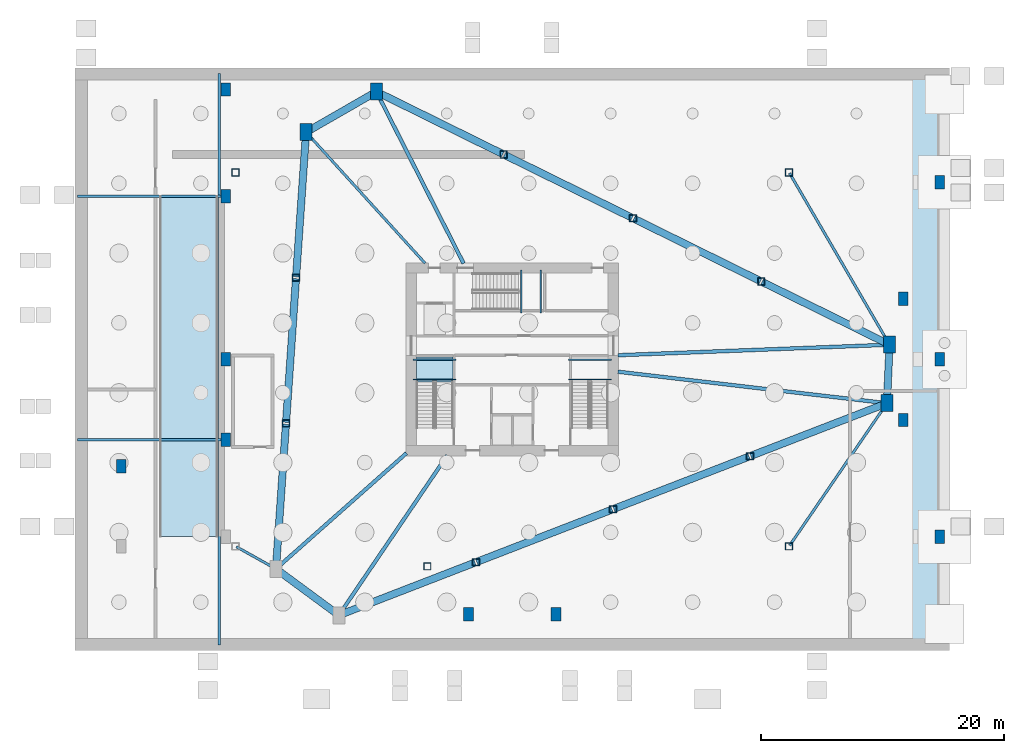
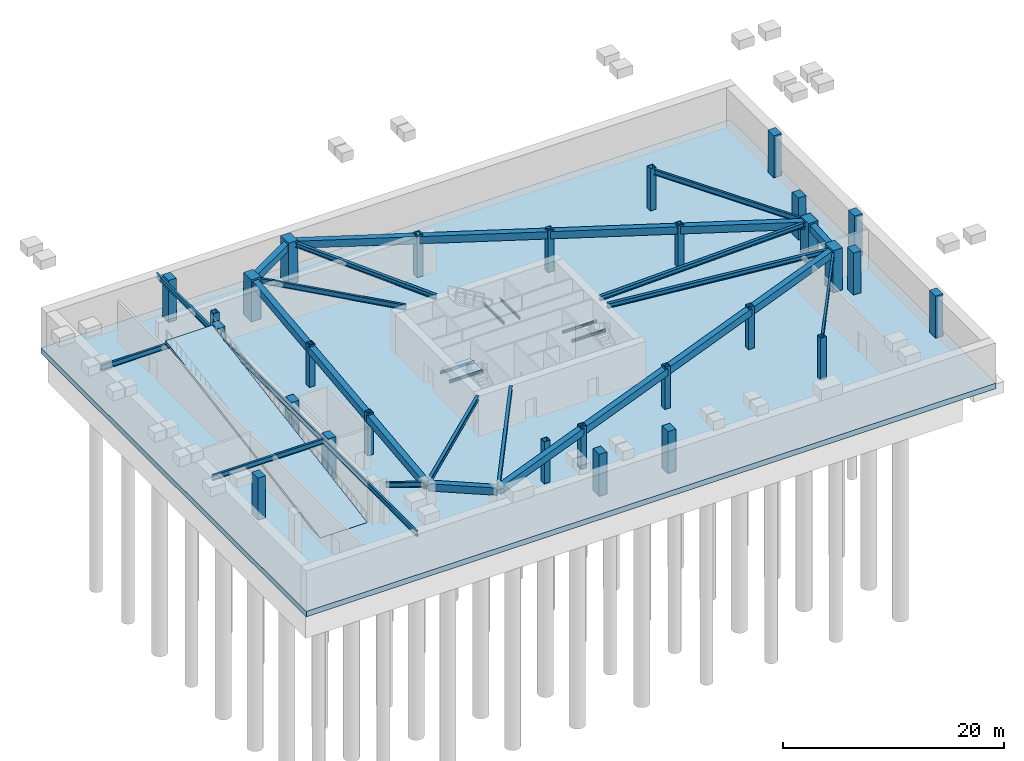
# One storey, part 2 of 9: 32 beams, 28 columns, 3 slabs, 1 element without a shape of its own.
"""IFC4 building model written with IfcOpenShell, lengths in metres."""

from ifc_helpers import new_model, si_unit, direction, frame, origin, origin_2d, place, context, subcontext, project, spatial, polyline, rectangle, hollow_rectangle, i_section, outline, extrude, source, transform, mapped, material, layer, layer_set, material_profile, profile_set, type_object, element, aggregate, save


model = new_model("IFC4")

# Units and contexts
model_context = context("Model", 3, precision=1e-05, world=origin(), true_north=direction((0.0, 1.0)))
body_context = subcontext(model_context, "Body", "Model", "MODEL_VIEW")
ifc_project = project(units=[si_unit("LENGTHUNIT", "METRE"), si_unit("AREAUNIT", "SQUARE_METRE"), si_unit("VOLUMEUNIT", "CUBIC_METRE"), si_unit("PLANEANGLEUNIT", "RADIAN"), si_unit("MASSUNIT", "GRAM", prefix="KILO")], contexts=[model_context])

# Site, building, storey
site_placement = place(None, origin())
site = spatial("IfcSite", under=ifc_project, at=site_placement, CompositionType="ELEMENT")
building_placement = place(site_placement, origin())
building = spatial("IfcBuilding", under=site, at=building_placement, Name="Olszyna Solenne Hotel", CompositionType="ELEMENT")
storey_placement = place(building_placement, frame((0.0, 0.0, -9.60009765625)))
storey = spatial("IfcBuildingStorey", under=building, at=storey_placement, Name="B02", CompositionType="ELEMENT", Elevation=-9.60009765625)

# Columns
ifc_material_1 = material(Name="Concrete C60/75", Category="concrete")
ifc_material_profile_1 = material_profile(ifc_material_1, rectangle(XDim=1.0, YDim=1.39990234375, at=origin_2d()), Name="RC 1400x1000", Category="load-bearing")
ifc_profile_set_1 = profile_set([ifc_material_profile_1], Name="Concrete C60/75")
column_type_1 = type_object("IfcColumnType", Name="COL-P1", PredefinedType="COLUMN", material=ifc_profile_set_1)
shared_shape_1 = source(origin(), body_context, "Body", "SweptSolid", [
    extrude(rectangle(XDim=1.0, YDim=1.39990234375, at=origin_2d()), origin(), (0.0, 0.0, 1.0), 4.635009765625),
])
for number, where, z_axis, x_axis, name in (
    (1, (68.858154296875, 22.984619140625, 0.0), (0.0, 0.0, 1.0), (1.0, 0.0, 0.0), "Podium mega-column COL-P1 C-B02-P1-01"),
    (2, (69.072509765625, 27.802978515625, 0.0), (0.0, 0.0, 1.0), (1.0, 0.0, 0.0), "Podium mega-column COL-P1 C-B02-P1-02"),
    (3, (26.808837890625, 48.6416015625, 0.0), (0.0, 0.0, 1.0), (1.0, 0.0, 0.0), "Podium mega-column COL-P1 C-B02-P1-03"),
    (4, (21.014404296875, 45.309326171875, 0.0), (0.0, 0.0, 1.0), (1.0, 0.0, 0.0), "Podium mega-column COL-P1 C-B02-P1-04"),
):
    element("IfcColumn", number, at=place(storey_placement, frame(where, z_axis=z_axis, x_axis=x_axis)), inside=storey, type_object=column_type_1, Name=name, PredefinedType="COLUMN", context=body_context, shape_type="MappedRepresentation", body=[
        mapped(shared_shape_1, transform((0.0, 0.0, 0.0), x_axis=(1.0, 0.0, 0.0), y_axis=(0.0, 1.0, 0.0), z_axis=(0.0, 0.0, 1.0), scale=1.0)),
    ])
ifc_material_2 = material(Name="Steel S460M", Category="steel")
ifc_material_profile_2 = material_profile(ifc_material_2, hollow_rectangle(XDim=0.60009765625, YDim=0.60009765625, WallThickness=0.034912109375, at=origin_2d()), Name="SHS 600x600x35", Category="load-bearing")
ifc_profile_set_2 = profile_set([ifc_material_profile_2], Name="Steel S460M")
column_type_2 = type_object("IfcColumnType", Name="COL-P2", PredefinedType="COLUMN", material=ifc_profile_set_2)
shared_shape_2 = source(origin(), body_context, "Body", "SweptSolid", [
    extrude(hollow_rectangle(XDim=0.60009765625, YDim=0.60009765625, WallThickness=0.034912109375, at=origin_2d()), origin(), (0.0, 0.0, 1.0), 4.635009765625),
])
for number, where, z_axis, x_axis, name in (
    (5, (15.199951171875, 42.0, 0.0), (0.0, 0.0, 1.0), (1.0, 0.0, 0.0), "Podium mega-column COL-P2 C-B02-P2-02"),
    (6, (60.800048828125, 11.199951171875, 0.0), (0.0, 0.0, 1.0), (1.0, 0.0, 0.0), "Podium mega-column COL-P2 C-B02-P2-03"),
    (7, (60.800048828125, 42.0, 0.0), (0.0, 0.0, 1.0), (1.0, 0.0, 0.0), "Podium mega-column COL-P2 C-B02-P2-04"),
    (8, (58.506591796875, 33.0126953125, 0.0), (0.0, 0.0, 1.0), (1.0, 0.0, 0.0), "Podium transfer-support column COL-P2 C-B02-TG-01"),
    (9, (47.94091796875, 38.222412109375, 0.0), (0.0, 0.0, 1.0), (1.0, 0.0, 0.0), "Podium transfer-support column COL-P2 C-B02-TG-02"),
    (10, (37.287109375, 43.47509765625, 0.0), (0.0, 0.0, 1.0), (1.0, 0.0, 0.0), "Podium transfer-support column COL-P2 C-B02-TG-03"),
    (11, (20.186767578125, 33.320068359375, 0.0), (0.0, 0.0, 1.0), (1.0, 0.0, 0.0), "Podium transfer-support column COL-P2 C-B02-TG-04"),
    (12, (19.359375, 21.33056640625, 0.0), (0.0, 0.0, 1.0), (1.0, 0.0, 0.0), "Podium transfer-support column COL-P2 C-B02-TG-05"),
    (13, (35.000244140625, 9.88623046875, 0.0), (0.0, 0.0, 1.0), (1.0, 0.0, 0.0), "Podium transfer-support column COL-P2 C-B02-TG-06"),
    (14, (46.2861328125, 14.25244140625, 0.0), (0.0, 0.0, 1.0), (1.0, 0.0, 0.0), "Podium transfer-support column COL-P2 C-B02-TG-07"),
    (15, (57.572265625, 18.618408203125, 0.0), (0.0, 0.0, 1.0), (1.0, 0.0, 0.0), "Podium transfer-support column COL-P2 C-B02-TG-08"),
    (16, (31.0, 9.550048828125, 0.0), (0.0, 0.0, 1.0), (1.0, 0.0, 0.0), "Feature stair support column COL-P2 C-B02-FS1"),
):
    element("IfcColumn", number, at=place(storey_placement, frame(where, z_axis=z_axis, x_axis=x_axis)), inside=storey, type_object=column_type_2, Name=name, PredefinedType="COLUMN", context=body_context, shape_type="MappedRepresentation", body=[
        mapped(shared_shape_2, transform((0.0, 0.0, 0.0), x_axis=(1.0, 0.0, 0.0), y_axis=(0.0, 1.0, 0.0), z_axis=(0.0, 0.0, 1.0), scale=1.0)),
    ])
ifc_material_3 = material(Name="Concrete C50/60", Category="concrete")
ifc_material_profile_3 = material_profile(ifc_material_3, rectangle(XDim=0.800048828125, YDim=1.10009765625, at=origin_2d()), Name="RC 1100x800", Category="load-bearing")
ifc_profile_set_3 = profile_set([ifc_material_profile_3], Name="Concrete C50/60")
column_type_3 = type_object("IfcColumnType", Name="COL-B1", PredefinedType="COLUMN", material=ifc_profile_set_3)
shared_shape_3 = source(origin(), body_context, "Body", "SweptSolid", [
    extrude(rectangle(XDim=0.800048828125, YDim=1.10009765625, at=origin_2d()), origin(), (0.0, 0.0, 1.0), 4.635009765625),
])
for number, where, z_axis, x_axis, name in (
    (17, (14.39990234375, 19.97998046875, 0.0), (0.0, 0.0, 1.0), (1.0, 0.0, 0.0), "Basement perimeter column COL-B1 C-B02-B1-02"),
    (18, (14.39990234375, 26.60009765625, 0.0), (0.0, 0.0, 1.0), (1.0, 0.0, 0.0), "Basement perimeter column COL-B1 C-B02-B1-03"),
    (19, (14.39990234375, 40.02001953125, 0.0), (0.0, 0.0, 1.0), (1.0, 0.0, 0.0), "Basement perimeter column COL-B1 C-B02-B1-04"),
    (20, (14.39990234375, 48.820068359375, 0.0), (0.0, 0.0, 1.0), (1.0, 0.0, 0.0), "Basement perimeter column COL-B1 C-B02-B1-05"),
    (21, (34.39990234375, 5.60009765625, 0.0), (0.0, 0.0, 1.0), (1.0, 0.0, 0.0), "Basement perimeter column COL-B1 C-B02-B1-06"),
    (22, (41.60009765625, 5.60009765625, 0.0), (0.0, 0.0, 1.0), (1.0, 0.0, 0.0), "Basement perimeter column COL-B1 C-B02-B1-07"),
    (23, (73.199951171875, 12.0, 0.0), (0.0, 0.0, 1.0), (1.0, 0.0, 0.0), "Basement perimeter column COL-B1 C-B02-B1-08"),
    (24, (73.199951171875, 26.60009765625, 0.0), (0.0, 0.0, 1.0), (1.0, 0.0, 0.0), "Basement perimeter column COL-B1 C-B02-B1-09"),
    (25, (73.199951171875, 41.199951171875, 0.0), (0.0, 0.0, 1.0), (1.0, 0.0, 0.0), "Basement perimeter column COL-B1 C-B02-B1-10"),
    (26, (5.800048828125, 17.800048828125, 0.0), (0.0, 0.0, 1.0), (1.0, 0.0, 0.0), "Terrace support RC column COL-B1 C-B02-TC-031"),
    (27, (70.199951171875, 21.60009765625, 0.0), (0.0, 0.0, 1.0), (1.0, 0.0, 0.0), "Terrace support RC column COL-B1 C-B02-TC-032"),
    (28, (70.199951171875, 31.60009765625, 0.0), (0.0, 0.0, 1.0), (1.0, 0.0, 0.0), "Terrace support RC column COL-B1 C-B02-TC-033"),
):
    element("IfcColumn", number, at=place(storey_placement, frame(where, z_axis=z_axis, x_axis=x_axis)), inside=storey, type_object=column_type_3, Name=name, PredefinedType="COLUMN", context=body_context, shape_type="MappedRepresentation", body=[
        mapped(shared_shape_3, transform((0.0, 0.0, 0.0), x_axis=(1.0, 0.0, 0.0), y_axis=(0.0, 1.0, 0.0), z_axis=(0.0, 0.0, 1.0), scale=1.0)),
    ])

# Beams
ifc_material_profile_4 = material_profile(ifc_material_3, rectangle(XDim=0.60009765625, YDim=0.800048828125, at=origin_2d()), Name="RC 800x600", Category="load-bearing")
ifc_profile_set_4 = profile_set([ifc_material_profile_4], Name="Concrete C50/60")
beam_type_1 = type_object("IfcBeamType", Name="BM-B1", PredefinedType="BEAM", material=ifc_profile_set_4)
shared_shape_4 = source(origin(), body_context, "Body", "SweptSolid", [
    extrude(rectangle(XDim=0.60009765625, YDim=0.800048828125, at=origin_2d()), origin(), (0.0, 0.0, 1.0), 4.6630859375),
])
beam_1_placement = place(storey_placement, frame((68.86181640625, 23.064453125, 4.050048828125), z_axis=(0.044450544341, 0.999011586073, 0.0), x_axis=(-0.999011586073, 0.044450544341, 0.0)))
element("IfcBeam", 29, at=beam_1_placement, inside=storey, type_object=beam_type_1, Name="Podium ring girder BM-B1 B-B02-0001", PredefinedType="BEAM", context=body_context, shape_type="MappedRepresentation", body=[
    mapped(shared_shape_4, transform((0.0, 0.0, 0.0), x_axis=(1.0, 0.0, 0.0), y_axis=(0.0, 1.0, 0.0), z_axis=(0.0, 0.0, 1.0), scale=1.0)),
])
ifc_material_4 = material(Name="Steel S355J2", Category="steel")
ifc_material_profile_5 = material_profile(ifc_material_4, i_section(OverallWidth=0.300048828125, OverallDepth=0.489990234375, WebThickness=0.011962890625, FlangeThickness=0.02294921875, at=origin_2d()), Name="HEA 500", Category="load-bearing")
ifc_profile_set_5 = profile_set([ifc_material_profile_5], Name="Steel S355J2")
beam_type_2 = type_object("IfcBeamType", Name="BM-G1", PredefinedType="BEAM", material=ifc_profile_set_5)
shared_shape_5 = source(origin(), body_context, "Body", "SweptSolid", [
    extrude(i_section(OverallWidth=0.300048828125, OverallDepth=0.489990234375, WebThickness=0.011962890625, FlangeThickness=0.02294921875, at=origin_2d()), origin(), (0.0, 0.0, 1.0), 22.2294921875),
])
beam_2_placement = place(storey_placement, frame((68.778564453125, 22.993896484375, 4.205078125), z_axis=(-0.993206789888, 0.116362676665, 0.0), x_axis=(-0.116362676665, -0.993206789888, 0.0)))
element("IfcBeam", 30, at=beam_2_placement, inside=storey, type_object=beam_type_2, Name="Podium radial girder BM-G1 B-B02-0002", PredefinedType="BEAM", context=body_context, shape_type="MappedRepresentation", body=[
    mapped(shared_shape_5, transform((0.0, 0.0, 0.0), x_axis=(1.0, 0.0, 0.0), y_axis=(0.0, 1.0, 0.0), z_axis=(0.0, 0.0, 1.0), scale=1.0)),
])
shared_shape_6 = source(origin(), body_context, "Body", "SweptSolid", [
    extrude(rectangle(XDim=0.60009765625, YDim=0.800048828125, at=origin_2d()), origin(), (0.0, 0.0, 1.0), 11.6201171875),
])
for number, where, z_axis, x_axis, name in (
    (31, (69.000732421875, 27.83837890625, 4.050048828125), (-0.896896785097, 0.442239931352, 0.0), (-0.442239931352, -0.896896785097, 0.0), "Podium ring girder BM-B1 B-B02-0003"),
    (32, (58.434814453125, 33.048095703125, 4.050048828125), (-0.896896785097, 0.442239931352, 0.0), (-0.442239931352, -0.896896785097, 0.0), "Podium ring girder BM-B1 BRG-B02-22"),
):
    element("IfcBeam", number, at=place(storey_placement, frame(where, z_axis=z_axis, x_axis=x_axis)), inside=storey, type_object=beam_type_1, Name=name, PredefinedType="BEAM", context=body_context, shape_type="MappedRepresentation", body=[
        mapped(shared_shape_6, transform((0.0, 0.0, 0.0), x_axis=(1.0, 0.0, 0.0), y_axis=(0.0, 1.0, 0.0), z_axis=(0.0, 0.0, 1.0), scale=1.0)),
    ])
shared_shape_7 = source(origin(), body_context, "Body", "SweptSolid", [
    extrude(rectangle(XDim=0.60009765625, YDim=0.800048828125, at=origin_2d()), origin(), (0.0, 0.0, 1.0), 11.718017578125),
])
beam_3_placement = place(storey_placement, frame((47.868896484375, 38.2578125, 4.050048828125), z_axis=(-0.896909246916, 0.442214656921, 0.0), x_axis=(-0.442214656921, -0.896909246916, 0.0)))
element("IfcBeam", 33, at=beam_3_placement, inside=storey, type_object=beam_type_1, Name="Podium ring girder BM-B1 BRG-B02-23", PredefinedType="BEAM", context=body_context, shape_type="MappedRepresentation", body=[
    mapped(shared_shape_7, transform((0.0, 0.0, 0.0), x_axis=(1.0, 0.0, 0.0), y_axis=(0.0, 1.0, 0.0), z_axis=(0.0, 0.0, 1.0), scale=1.0)),
])
shared_shape_8 = source(origin(), body_context, "Body", "SweptSolid", [
    extrude(rectangle(XDim=0.60009765625, YDim=0.800048828125, at=origin_2d()), origin(), (0.0, 0.0, 1.0), 11.5224609375),
])
beam_4_placement = place(storey_placement, frame((37.215087890625, 43.510498046875, 4.050048828125), z_axis=(-0.896896659494, 0.442240186085, 0.0), x_axis=(-0.442240186085, -0.896896659494, 0.0)))
element("IfcBeam", 34, at=beam_4_placement, inside=storey, type_object=beam_type_1, Name="Podium ring girder BM-B1 BRG-B02-24", PredefinedType="BEAM", context=body_context, shape_type="MappedRepresentation", body=[
    mapped(shared_shape_8, transform((0.0, 0.0, 0.0), x_axis=(1.0, 0.0, 0.0), y_axis=(0.0, 1.0, 0.0), z_axis=(0.0, 0.0, 1.0), scale=1.0)),
])
shared_shape_9 = source(origin(), body_context, "Body", "SweptSolid", [
    extrude(i_section(OverallWidth=0.300048828125, OverallDepth=0.489990234375, WebThickness=0.011962890625, FlangeThickness=0.02294921875, at=origin_2d()), origin(), (0.0, 0.0, 1.0), 22.309326171875),
])
beam_5_placement = place(storey_placement, frame((68.99267578125, 27.7998046875, 4.205078125), z_axis=(-0.999251460368, -0.038684867238, 0.0), x_axis=(0.038684867238, -0.999251460368, 0.0)))
element("IfcBeam", 35, at=beam_5_placement, inside=storey, type_object=beam_type_2, Name="Podium radial girder BM-G1 B-B02-0004", PredefinedType="BEAM", context=body_context, shape_type="MappedRepresentation", body=[
    mapped(shared_shape_9, transform((0.0, 0.0, 0.0), x_axis=(1.0, 0.0, 0.0), y_axis=(0.0, 1.0, 0.0), z_axis=(0.0, 0.0, 1.0), scale=1.0)),
])
shared_shape_10 = source(origin(), body_context, "Body", "SweptSolid", [
    extrude(rectangle(XDim=0.60009765625, YDim=0.800048828125, at=origin_2d()), origin(), (0.0, 0.0, 1.0), 6.524169921875),
])
beam_6_placement = place(storey_placement, frame((26.739501953125, 48.601806640625, 4.050048828125), z_axis=(-0.866881237844, -0.498514713397, 0.0), x_axis=(0.498514713397, -0.866881237844, 0.0)))
element("IfcBeam", 36, at=beam_6_placement, inside=storey, type_object=beam_type_1, Name="Podium ring girder BM-B1 B-B02-0005", PredefinedType="BEAM", context=body_context, shape_type="MappedRepresentation", body=[
    mapped(shared_shape_10, transform((0.0, 0.0, 0.0), x_axis=(1.0, 0.0, 0.0), y_axis=(0.0, 1.0, 0.0), z_axis=(0.0, 0.0, 1.0), scale=1.0)),
])
shared_shape_11 = source(origin(), body_context, "Body", "SweptSolid", [
    extrude(i_section(OverallWidth=0.300048828125, OverallDepth=0.489990234375, WebThickness=0.011962890625, FlangeThickness=0.02294921875, at=origin_2d()), origin(), (0.0, 0.0, 1.0), 15.77392578125),
])
beam_7_placement = place(storey_placement, frame((26.84521484375, 48.5703125, 4.205078125), z_axis=(0.452702772285, -0.891661482832, 0.0), x_axis=(0.891661482832, 0.452702772285, 0.0)))
element("IfcBeam", 37, at=beam_7_placement, inside=storey, type_object=beam_type_2, Name="Podium radial girder BM-G1 B-B02-0006", PredefinedType="BEAM", context=body_context, shape_type="MappedRepresentation", body=[
    mapped(shared_shape_11, transform((0.0, 0.0, 0.0), x_axis=(1.0, 0.0, 0.0), y_axis=(0.0, 1.0, 0.0), z_axis=(0.0, 0.0, 1.0), scale=1.0)),
])
shared_shape_12 = source(origin(), body_context, "Body", "SweptSolid", [
    extrude(rectangle(XDim=0.60009765625, YDim=0.800048828125, at=origin_2d()), origin(), (0.0, 0.0, 1.0), 11.857666015625),
])
beam_8_placement = place(storey_placement, frame((21.0087890625, 45.2294921875, 4.050048828125), z_axis=(-0.068850141024, -0.997627013508, 0.0), x_axis=(0.997627013508, -0.068850141024, 0.0)))
element("IfcBeam", 38, at=beam_8_placement, inside=storey, type_object=beam_type_1, Name="Podium ring girder BM-B1 B-B02-0007", PredefinedType="BEAM", context=body_context, shape_type="MappedRepresentation", body=[
    mapped(shared_shape_12, transform((0.0, 0.0, 0.0), x_axis=(1.0, 0.0, 0.0), y_axis=(0.0, 1.0, 0.0), z_axis=(0.0, 0.0, 1.0), scale=1.0)),
])
shared_shape_13 = source(origin(), body_context, "Body", "SweptSolid", [
    extrude(rectangle(XDim=0.60009765625, YDim=0.800048828125, at=origin_2d()), origin(), (0.0, 0.0, 1.0), 11.85791015625),
])
for number, where, z_axis, x_axis, name in (
    (39, (20.181396484375, 33.240234375, 4.050048828125), (-0.068869217947, -0.997625696752, 0.0), (0.997625696752, -0.068869217947, 0.0), "Podium ring girder BM-B1 BRG-B02-42"),
    (40, (19.353759765625, 21.250732421875, 4.050048828125), (-0.068869217947, -0.997625696752, 0.0), (0.997625696752, -0.068869217947, 0.0), "Podium ring girder BM-B1 BRG-B02-43"),
):
    element("IfcBeam", number, at=place(storey_placement, frame(where, z_axis=z_axis, x_axis=x_axis)), inside=storey, type_object=beam_type_1, Name=name, PredefinedType="BEAM", context=body_context, shape_type="MappedRepresentation", body=[
        mapped(shared_shape_13, transform((0.0, 0.0, 0.0), x_axis=(1.0, 0.0, 0.0), y_axis=(0.0, 1.0, 0.0), z_axis=(0.0, 0.0, 1.0), scale=1.0)),
    ])
ifc_material_profile_6 = material_profile(ifc_material_4, i_section(OverallWidth=0.2099609375, OverallDepth=0.550048828125, WebThickness=0.010986328125, FlangeThickness=0.01708984375, at=origin_2d()), Name="IPE 550", Category="load-bearing")
ifc_profile_set_6 = profile_set([ifc_material_profile_6], Name="Steel S355J2")
beam_type_3 = type_object("IfcBeamType", Name="BM-F2", PredefinedType="BEAM", material=ifc_profile_set_6)
shared_shape_14 = source(origin(), body_context, "Body", "SweptSolid", [
    extrude(i_section(OverallWidth=0.2099609375, OverallDepth=0.550048828125, WebThickness=0.010986328125, FlangeThickness=0.01708984375, at=origin_2d()), origin(), (0.0, 0.0, 1.0), 14.502197265625),
])
beam_9_placement = place(storey_placement, frame((21.068115234375, 45.250244140625, 4.175048828125), z_axis=(0.672176589992, -0.740390864252, 0.0), x_axis=(0.740390864252, 0.672176589992, 0.0)))
element("IfcBeam", 41, at=beam_9_placement, inside=storey, type_object=beam_type_3, Name="Podium radial girder BM-F2 B-B02-0008", PredefinedType="BEAM", context=body_context, shape_type="MappedRepresentation", body=[
    mapped(shared_shape_14, transform((0.0, 0.0, 0.0), x_axis=(1.0, 0.0, 0.0), y_axis=(0.0, 1.0, 0.0), z_axis=(0.0, 0.0, 1.0), scale=1.0)),
])
shared_shape_15 = source(origin(), body_context, "Body", "SweptSolid", [
    extrude(rectangle(XDim=0.60009765625, YDim=0.800048828125, at=origin_2d()), origin(), (0.0, 0.0, 1.0), 6.27880859375),
])
beam_10_placement = place(storey_placement, frame((18.59619140625, 9.293701171875, 4.050048828125), z_axis=(0.804881840641, -0.593435103955, 0.0), x_axis=(0.593435103955, 0.804881840641, 0.0)))
element("IfcBeam", 42, at=beam_10_placement, inside=storey, type_object=beam_type_1, Name="Podium ring girder BM-B1 B-B02-0009", PredefinedType="BEAM", context=body_context, shape_type="MappedRepresentation", body=[
    mapped(shared_shape_15, transform((0.0, 0.0, 0.0), x_axis=(1.0, 0.0, 0.0), y_axis=(0.0, 1.0, 0.0), z_axis=(0.0, 0.0, 1.0), scale=1.0)),
])
shared_shape_16 = source(origin(), body_context, "Body", "SweptSolid", [
    extrude(i_section(OverallWidth=0.300048828125, OverallDepth=0.489990234375, WebThickness=0.011962890625, FlangeThickness=0.02294921875, at=origin_2d()), origin(), (0.0, 0.0, 1.0), 14.293701171875),
])
beam_11_placement = place(storey_placement, frame((18.591552734375, 9.394287109375, 4.205078125), z_axis=(0.748292597606, 0.663368817754, 0.0), x_axis=(-0.663368817754, 0.748292597606, 0.0)))
element("IfcBeam", 43, at=beam_11_placement, inside=storey, type_object=beam_type_2, Name="Podium radial girder BM-G1 B-B02-0010", PredefinedType="BEAM", context=body_context, shape_type="MappedRepresentation", body=[
    mapped(shared_shape_16, transform((0.0, 0.0, 0.0), x_axis=(1.0, 0.0, 0.0), y_axis=(0.0, 1.0, 0.0), z_axis=(0.0, 0.0, 1.0), scale=1.0)),
])
shared_shape_17 = source(origin(), body_context, "Body", "SweptSolid", [
    extrude(rectangle(XDim=0.60009765625, YDim=0.800048828125, at=origin_2d()), origin(), (0.0, 0.0, 1.0), 11.941162109375),
])
beam_12_placement = place(storey_placement, frame((23.788818359375, 5.549072265625, 4.050048828125), z_axis=(0.932645120915, 0.360795064314, 0.0), x_axis=(-0.360795064314, 0.932645120915, 0.0)))
element("IfcBeam", 44, at=beam_12_placement, inside=storey, type_object=beam_type_1, Name="Podium ring girder BM-B1 B-B02-0011", PredefinedType="BEAM", context=body_context, shape_type="MappedRepresentation", body=[
    mapped(shared_shape_17, transform((0.0, 0.0, 0.0), x_axis=(1.0, 0.0, 0.0), y_axis=(0.0, 1.0, 0.0), z_axis=(0.0, 0.0, 1.0), scale=1.0)),
])
shared_shape_18 = source(origin(), body_context, "Body", "SweptSolid", [
    extrude(rectangle(XDim=0.60009765625, YDim=0.800048828125, at=origin_2d()), origin(), (0.0, 0.0, 1.0), 11.94091796875),
])
for number, where, z_axis, x_axis, name in (
    (45, (35.074951171875, 9.915283203125, 4.050048828125), (0.932649339214, 0.360784159939, 0.0), (-0.360784159939, 0.932649339214, 0.0), "Podium ring girder BM-B1 BRG-B02-62"),
    (46, (46.36083984375, 14.28125, 4.050048828125), (0.932642459435, 0.360801944091, 0.0), (-0.360801944091, 0.932642459435, 0.0), "Podium ring girder BM-B1 BRG-B02-63"),
    (47, (57.646728515625, 18.6474609375, 4.050048828125), (0.932642459435, 0.360801944091, 0.0), (-0.360801944091, 0.932642459435, 0.0), "Podium ring girder BM-B1 BRG-B02-64"),
):
    element("IfcBeam", number, at=place(storey_placement, frame(where, z_axis=z_axis, x_axis=x_axis)), inside=storey, type_object=beam_type_1, Name=name, PredefinedType="BEAM", context=body_context, shape_type="MappedRepresentation", body=[
        mapped(shared_shape_18, transform((0.0, 0.0, 0.0), x_axis=(1.0, 0.0, 0.0), y_axis=(0.0, 1.0, 0.0), z_axis=(0.0, 0.0, 1.0), scale=1.0)),
    ])
shared_shape_19 = source(origin(), body_context, "Body", "SweptSolid", [
    extrude(i_section(OverallWidth=0.300048828125, OverallDepth=0.489990234375, WebThickness=0.011962890625, FlangeThickness=0.02294921875, at=origin_2d()), origin(), (0.0, 0.0, 1.0), 15.830810546875),
])
beam_13_placement = place(storey_placement, frame((23.75927734375, 5.58642578125, 4.205078125), z_axis=(0.561001243255, 0.827814958228, 0.0), x_axis=(-0.827814958228, 0.561001243255, 0.0)))
element("IfcBeam", 48, at=beam_13_placement, inside=storey, type_object=beam_type_2, Name="Podium radial girder BM-G1 B-B02-0012", PredefinedType="BEAM", context=body_context, shape_type="MappedRepresentation", body=[
    mapped(shared_shape_19, transform((0.0, 0.0, 0.0), x_axis=(1.0, 0.0, 0.0), y_axis=(0.0, 1.0, 0.0), z_axis=(0.0, 0.0, 1.0), scale=1.0)),
])
shared_shape_20 = source(origin(), body_context, "Body", "SweptSolid", [
    extrude(i_section(OverallWidth=0.2099609375, OverallDepth=0.550048828125, WebThickness=0.010986328125, FlangeThickness=0.01708984375, at=origin_2d()), origin(), (0.0, 0.0, 1.0), 12.1201171875),
])
for number, where, z_axis, x_axis, name in (
    (49, (2.199951171875, 40.02001953125, 4.175048828125), (1.0, 0.0, 0.0), (0.0, 1.0, 0.0), "B01 vehicle ramp arrival girder BM-F2 B-B02-0013"),
    (50, (2.199951171875, 19.97998046875, 4.175048828125), (1.0, 0.0, 0.0), (0.0, 1.0, 0.0), "B01 vehicle ramp departure girder BM-F2 B-B02-0014"),
):
    element("IfcBeam", number, at=place(storey_placement, frame(where, z_axis=z_axis, x_axis=x_axis)), inside=storey, type_object=beam_type_3, Name=name, PredefinedType="BEAM", context=body_context, shape_type="MappedRepresentation", body=[
        mapped(shared_shape_20, transform((0.0, 0.0, 0.0), x_axis=(1.0, 0.0, 0.0), y_axis=(0.0, 1.0, 0.0), z_axis=(0.0, 0.0, 1.0), scale=1.0)),
    ])
shared_shape_21 = source(origin(), body_context, "Body", "SweptSolid", [
    extrude(i_section(OverallWidth=0.2099609375, OverallDepth=0.550048828125, WebThickness=0.010986328125, FlangeThickness=0.01708984375, at=origin_2d()), origin(), (0.0, 0.0, 1.0), 47.099853515625),
])
beam_14_placement = place(storey_placement, frame((13.85009765625, 3.050048828125, 4.175048828125), z_axis=(0.0, 1.0, 0.0), x_axis=(-1.0, 0.0, 0.0)))
element("IfcBeam", 51, at=beam_14_placement, inside=storey, type_object=beam_type_3, Name="B01 vehicle ramp East edge girder BM-F2 B-B02-0015", PredefinedType="BEAM", context=body_context, shape_type="MappedRepresentation", body=[
    mapped(shared_shape_21, transform((0.0, 0.0, 0.0), x_axis=(1.0, 0.0, 0.0), y_axis=(0.0, 1.0, 0.0), z_axis=(0.0, 0.0, 1.0), scale=1.0)),
])
shared_shape_22 = source(origin(), body_context, "Body", "SweptSolid", [
    extrude(i_section(OverallWidth=0.2099609375, OverallDepth=0.550048828125, WebThickness=0.010986328125, FlangeThickness=0.01708984375, at=origin_2d()), origin(), (0.0, 0.0, 1.0), 3.655029296875),
])
beam_15_placement = place(storey_placement, frame((15.27001953125, 11.160888671875, 4.175048828125), z_axis=(0.873286271012, -0.487207439251, 0.0), x_axis=(0.487207439251, 0.873286271012, 0.0)))
element("IfcBeam", 52, at=beam_15_placement, inside=storey, type_object=beam_type_3, Name="Podium terrace girder BM-F2 B-B02-0016", PredefinedType="BEAM", context=body_context, shape_type="MappedRepresentation", body=[
    mapped(shared_shape_22, transform((0.0, 0.0, 0.0), x_axis=(1.0, 0.0, 0.0), y_axis=(0.0, 1.0, 0.0), z_axis=(0.0, 0.0, 1.0), scale=1.0)),
])
shared_shape_23 = source(origin(), body_context, "Body", "SweptSolid", [
    extrude(i_section(OverallWidth=0.2099609375, OverallDepth=0.550048828125, WebThickness=0.010986328125, FlangeThickness=0.01708984375, at=origin_2d()), origin(), (0.0, 0.0, 1.0), 14.1162109375),
])
beam_16_placement = place(storey_placement, frame((60.84521484375, 11.26611328125, 4.175048828125), z_axis=(0.564440227012, 0.825473942733, 0.0), x_axis=(-0.825473942733, 0.564440227012, 0.0)))
element("IfcBeam", 53, at=beam_16_placement, inside=storey, type_object=beam_type_3, Name="Podium terrace girder BM-F2 B-B02-0017", PredefinedType="BEAM", context=body_context, shape_type="MappedRepresentation", body=[
    mapped(shared_shape_23, transform((0.0, 0.0, 0.0), x_axis=(1.0, 0.0, 0.0), y_axis=(0.0, 1.0, 0.0), z_axis=(0.0, 0.0, 1.0), scale=1.0)),
])
shared_shape_24 = source(origin(), body_context, "Body", "SweptSolid", [
    extrude(i_section(OverallWidth=0.2099609375, OverallDepth=0.550048828125, WebThickness=0.010986328125, FlangeThickness=0.01708984375, at=origin_2d()), origin(), (0.0, 0.0, 1.0), 16.271484375),
])
beam_17_placement = place(storey_placement, frame((60.84033203125, 41.930908203125, 4.175048828125), z_axis=(0.503453956375, -0.864022056322, 0.0), x_axis=(0.864022056322, 0.503453956375, 0.0)))
element("IfcBeam", 54, at=beam_17_placement, inside=storey, type_object=beam_type_3, Name="Podium terrace girder BM-F2 B-B02-0018", PredefinedType="BEAM", context=body_context, shape_type="MappedRepresentation", body=[
    mapped(shared_shape_24, transform((0.0, 0.0, 0.0), x_axis=(1.0, 0.0, 0.0), y_axis=(0.0, 1.0, 0.0), z_axis=(0.0, 0.0, 1.0), scale=1.0)),
])
ifc_material_profile_7 = material_profile(ifc_material_4, i_section(OverallWidth=0.1201171875, OverallDepth=0.239990234375, WebThickness=0.006103515625, FlangeThickness=0.009765625, at=origin_2d()), Name="IPE 240", Category="load-bearing")
ifc_profile_set_7 = profile_set([ifc_material_profile_7], Name="Steel S355J2")
beam_type_4 = type_object("IfcBeamType", Name="JS-03", PredefinedType="JOIST", material=ifc_profile_set_7)
shared_shape_25 = source(origin(), body_context, "Body", "SweptSolid", [
    extrude(i_section(OverallWidth=0.1201171875, OverallDepth=0.239990234375, WebThickness=0.006103515625, FlangeThickness=0.009765625, at=origin_2d()), origin(), (0.0, 0.0, 1.0), 3.539794921875),
])
for number, where, z_axis, x_axis, name in (
    (55, (33.3798828125, 24.93994140625, 2.0751953125), (-1.0, 0.0, 0.0), (0.0, -1.0, 0.0), "Stair landing support beam JS-03 SLB-ST1-0001"),
    (56, (33.3798828125, 26.580078125, 2.0751953125), (-1.0, 0.0, 0.0), (0.0, -1.0, 0.0), "Stair landing support beam JS-03 SLB-ST1-0002"),
    (57, (46.159912109375, 24.93994140625, 2.0751953125), (-1.0, 0.0, 0.0), (0.0, -1.0, 0.0), "Stair landing support beam JS-03 SLB-ST2-0241"),
    (58, (46.159912109375, 26.580078125, 2.0751953125), (-1.0, 0.0, 0.0), (0.0, -1.0, 0.0), "Stair landing support beam JS-03 SLB-ST2-0242"),
):
    element("IfcBeam", number, at=place(storey_placement, frame(where, z_axis=z_axis, x_axis=x_axis)), inside=storey, type_object=beam_type_4, Name=name, PredefinedType="JOIST", context=body_context, shape_type="MappedRepresentation", body=[
        mapped(shared_shape_25, transform((0.0, 0.0, 0.0), x_axis=(1.0, 0.0, 0.0), y_axis=(0.0, 1.0, 0.0), z_axis=(0.0, 0.0, 1.0), scale=1.0)),
    ])
shared_shape_26 = source(origin(), body_context, "Body", "SweptSolid", [
    extrude(i_section(OverallWidth=0.1201171875, OverallDepth=0.239990234375, WebThickness=0.006103515625, FlangeThickness=0.009765625, at=origin_2d()), origin(), (0.0, 0.0, 1.0), 3.5400390625),
])
for number, where, z_axis, x_axis, name in (
    (59, (38.719970703125, 30.419921875, 2.0751953125), (0.0, 1.0, 0.0), (-1.0, 0.0, 0.0), "Stair landing support beam JS-03 SLB-ST3-0481"),
    (60, (40.360107421875, 30.419921875, 2.0751953125), (0.0, 1.0, 0.0), (-1.0, 0.0, 0.0), "Stair landing support beam JS-03 SLB-ST3-0482"),
):
    element("IfcBeam", number, at=place(storey_placement, frame(where, z_axis=z_axis, x_axis=x_axis)), inside=storey, type_object=beam_type_4, Name=name, PredefinedType="JOIST", context=body_context, shape_type="MappedRepresentation", body=[
        mapped(shared_shape_26, transform((0.0, 0.0, 0.0), x_axis=(1.0, 0.0, 0.0), y_axis=(0.0, 1.0, 0.0), z_axis=(0.0, 0.0, 1.0), scale=1.0)),
    ])

# Slab
ifc_material_5 = material(Name="Concrete C40/50", Category="concrete")
ifc_layer_1 = layer(ifc_material_5, 0.60009765625, Name="Concrete C40/50")
ifc_layer_set_1 = layer_set([ifc_layer_1], Name="Concrete C40/50")
slab_type_1 = type_object("IfcSlabType", Name="SL-BS600", PredefinedType="BASESLAB", material=ifc_layer_set_1)
slab_1_placement = place(storey_placement, frame((0.0, 0.0, -0.599853515625)))
element("IfcSlab", 61, at=slab_1_placement, inside=storey, type_object=slab_type_1, Name="Floor slab SL-BS600 SL-B02-01", PredefinedType="BASESLAB", context=body_context, shape_type="SweptSolid", body=[
    extrude(outline(polyline([(2.0, 2.60009765625), (74.0, 2.60009765625), (74.0, 50.60009765625), (2.0, 50.60009765625), (2.0, 2.60009765625)])), origin(), (0.0, 0.0, 1.0), 0.599853515625),
])

# Stair, slab
stair_type = type_object("IfcStairType", Name="STR-C1", PredefinedType="TWO_QUARTER_WINDING_STAIR", material=ifc_material_5)
stair_placement = place(storey_placement, origin())
stair = element("IfcStair", 62, at=stair_placement, inside=storey, type_object=stair_type, Name="B02 ST1", PredefinedType="TWO_QUARTER_WINDING_STAIR")
ifc_layer_2 = layer(ifc_material_5, 0.18994140625, Name="Concrete C40/50")
ifc_layer_set_2 = layer_set([ifc_layer_2], Name="Concrete C40/50")
slab_type_2 = type_object("IfcSlabType", Name="SL-LN190", PredefinedType="LANDING", material=ifc_layer_set_2)
slab_2_placement = place(storey_placement, frame((0.0, 0.0, 2.2001953125)))
slab_2 = element("IfcSlab", 63, at=slab_2_placement, type_object=slab_type_2, Name="ST1 landing 1", PredefinedType="LANDING", context=body_context, shape_type="SweptSolid", body=[
    extrude(outline(polyline([(33.1201171875, 24.719970703125), (33.1201171875, 26.800048828125), (30.10009765625, 26.800048828125), (30.10009765625, 24.719970703125), (33.1201171875, 24.719970703125)])), origin(), (0.0, 0.0, 1.0), 0.199951171875),
])
aggregate(stair, [slab_2])

# Slab
ifc_layer_3 = layer(ifc_material_3, 0.25, Name="Concrete C50/60")
ifc_layer_set_3 = layer_set([ifc_layer_3], Name="Concrete C50/60")
slab_type_3 = type_object("IfcSlabType", Name="SL-TW250", PredefinedType="FLOOR", material=ifc_layer_set_3)
slab_3_placement = place(storey_placement, frame((8.89990234375, 12.0, 0.0), z_axis=(0.0, -0.16896548483, 0.985621968574), x_axis=(1.0, 0.0, 0.0)))
element("IfcSlab", 64, at=slab_3_placement, inside=storey, type_object=slab_type_3, Name="Basement B02 to B01 two-way structural concrete vehicle ramp slab SL-TW250 SL-B02-RMP1", PredefinedType="FLOOR", context=body_context, shape_type="SweptSolid", body=[
    extrude(outline(polyline([(0.0, 0.0), (4.900146484375, 0.0), (4.900146484375, 28.408457697530572), (0.0, 28.408457697530572), (0.0, 0.0)])), origin(), (0.0, 0.0, -1.0), 0.25),
])

save(model, "model.ifc")
